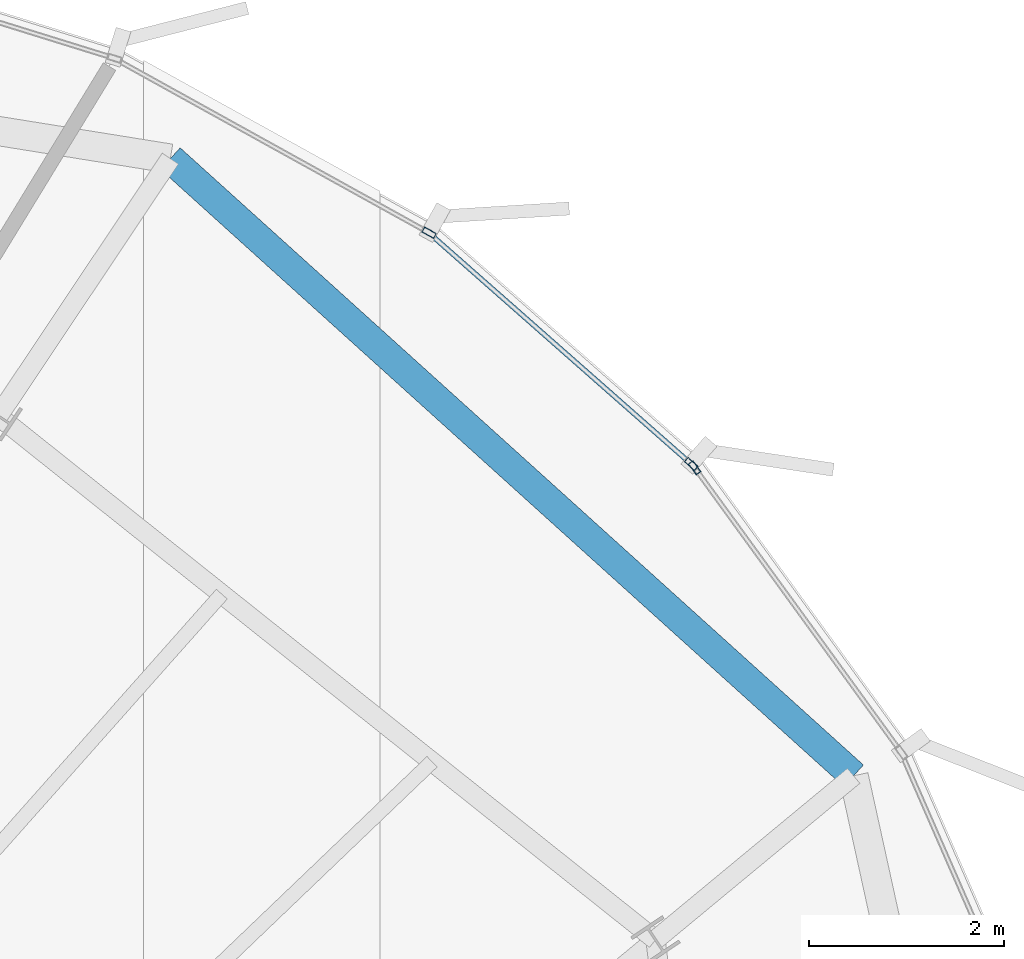
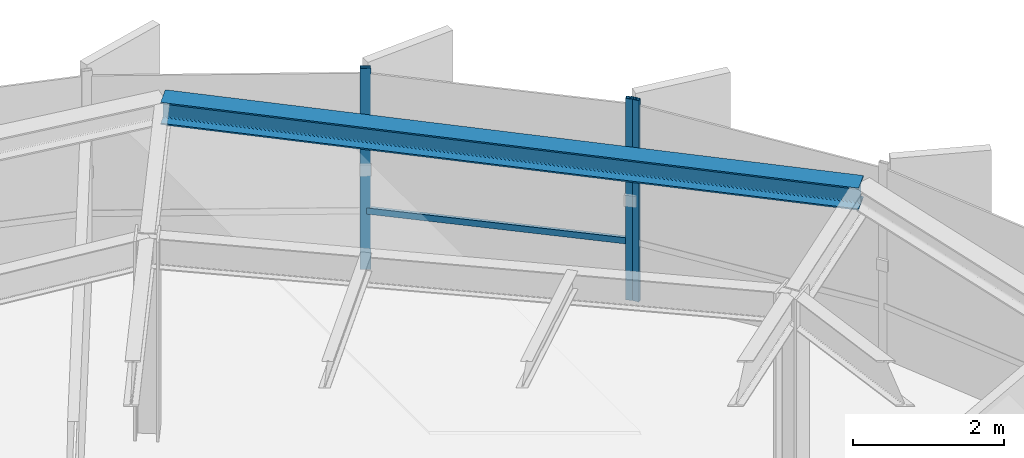
# One storey, part 28 of 35: 4 members, 1 beam, 2 elements without a shape of their own.
"""IFC4 building model written with IfcOpenShell, lengths in metres."""

from ifc_helpers import new_model, si_unit, direction, frame, origin, origin_2d, place, context, subcontext, project, spatial, hollow_rectangle, i_section, extrude, source, transform, mapped, material, layer, layer_set, material_profile, profile_set, type_object, element, aggregate, save


model = new_model("IFC4")

# Units and contexts
model_context = context("Model", 3, precision=1e-05, world=origin(), true_north=direction((0.0, 1.0)))
body_context = subcontext(model_context, "Body", "Model", "MODEL_VIEW")
ifc_project = project(units=[si_unit("LENGTHUNIT", "METRE"), si_unit("AREAUNIT", "SQUARE_METRE"), si_unit("VOLUMEUNIT", "CUBIC_METRE"), si_unit("PLANEANGLEUNIT", "RADIAN"), si_unit("MASSUNIT", "GRAM", prefix="KILO"), si_unit("THERMODYNAMICTEMPERATUREUNIT", "KELVIN")], contexts=[model_context])

# Site, building, storey
site_placement = place(None, origin())
site = spatial("IfcSite", under=ifc_project, at=site_placement, CompositionType="ELEMENT")
building_placement = place(site_placement, origin())
building = spatial("IfcBuilding", under=site, at=building_placement, Name="Kethvar Cultural Tower", CompositionType="ELEMENT")
storey_placement = place(building_placement, frame((0.0, 0.0, 204.39990234375)))
storey = spatial("IfcBuildingStorey", under=building, at=storey_placement, Name="L53", CompositionType="ELEMENT", Elevation=204.39990234375)

# Beam
ifc_material_1 = material(Name="Steel S355J2", Category="steel")
ifc_material_profile_1 = material_profile(ifc_material_1, i_section(OverallWidth=0.300048828125, OverallDepth=0.360107421875, WebThickness=0.012451171875, FlangeThickness=0.0224609375, FilletRadius=0.027099609375, at=origin_2d()), Name="Steel S355J2 — HEB360")
ifc_profile_set_1 = profile_set([ifc_material_profile_1], Name="Steel S355J2 — HEB360")
beam_type = type_object("IfcBeamType", Name="BM-SP360", PredefinedType="SPANDREL", material=ifc_profile_set_1)
shared_shape_1 = source(origin(), body_context, "Body", "SweptSolid", [
    extrude(i_section(OverallWidth=0.300048828125, OverallDepth=0.360107421875, WebThickness=0.012451171875, FlangeThickness=0.0224609375, FilletRadius=0.027099609375, at=origin_2d()), origin(), (0.0, 0.0, 1.0), 9.465576171875),
])
beam_placement = place(storey_placement, frame((67.540771484375, 41.9833984375, 3.078125), z_axis=(-0.742073257912, 0.67031878975, 0.0), x_axis=(-0.67031878975, -0.742073257912, 0.0)))
element("IfcBeam", 1, at=beam_placement, inside=storey, type_object=beam_type, Name="L53 Perimeter Spandrel Beam SP-02", PredefinedType="SPANDREL", context=body_context, shape_type="MappedRepresentation", body=[
    mapped(shared_shape_1, transform((0.0, 0.0, 0.0), scale=1.0)),
])

# Curtain wall, members
ifc_material_2 = material(Name="Aluminium 6063-T6", Category="aluminium")
ifc_layer = layer(ifc_material_2, 0.179931640625, Name="Aluminium 6063-T6", Category="aluminium")
ifc_layer_set = layer_set([ifc_layer], Name="Aluminium 6063-T6 (180 mm)")
curtain_wall_type = type_object("IfcCurtainWallType", Name="CW-SYS-04-Z34", PredefinedType="NOTDEFINED", material=ifc_layer_set)
curtain_wall_1_placement = place(storey_placement, origin())
curtain_wall_1 = element("IfcCurtainWall", 2, at=curtain_wall_1_placement, inside=storey, type_object=curtain_wall_type, Name="L53 Curtain Wall Run 01", PredefinedType="NOTDEFINED")
ifc_material_profile_2 = material_profile(ifc_material_2, hollow_rectangle(XDim=0.06005859375, YDim=0.139892578125, WallThickness=0.0048828125, at=origin_2d()), Name="Aluminium 6063-T6 — RHS140x60x5")
ifc_profile_set_2 = profile_set([ifc_material_profile_2], Name="Aluminium 6063-T6 — RHS140x60x5")
member_type_1 = type_object("IfcMemberType", Name="CW-SYS-04-Z34-MUL", PredefinedType="MULLION", material=ifc_profile_set_2)
shared_shape_2 = source(origin(), body_context, "Body", "SweptSolid", [
    extrude(hollow_rectangle(XDim=0.06005859375, YDim=0.139892578125, WallThickness=0.0048828125, at=origin_2d()), origin(), (0.0, 0.0, 1.0), 3.260009765625),
])
member_1_placement = place(storey_placement, frame((65.870849609375, 45.189208984375, 0.0), z_axis=(0.0, 0.0, 1.0), x_axis=(-0.660958310395, -0.750422622206, 0.0)))
member_1 = element("IfcMember", 3, at=member_1_placement, type_object=member_type_1, Name="CW-L53-R01 Mullion 1", PredefinedType="MULLION", context=body_context, shape_type="MappedRepresentation", body=[
    mapped(shared_shape_2, transform((0.0, 0.0, 0.0), scale=1.0)),
])
member_2_placement = place(storey_placement, frame((63.176513671875, 47.56591796875, 0.0), z_axis=(0.0, 0.0, 1.0), x_axis=(-0.484458486341, -0.87481425172, 0.0)))
member_2 = element("IfcMember", 4, at=member_2_placement, type_object=member_type_1, Name="CW-L53-R01 Mullion 2", PredefinedType="MULLION", context=body_context, shape_type="MappedRepresentation", body=[
    mapped(shared_shape_2, transform((0.0, 0.0, 0.0), scale=1.0)),
])

# Curtain wall, member
curtain_wall_2_placement = place(storey_placement, origin())
curtain_wall_2 = element("IfcCurtainWall", 5, at=curtain_wall_2_placement, inside=storey, type_object=curtain_wall_type, Name="L53 Curtain Wall Run 06", PredefinedType="NOTDEFINED")
member_3_placement = place(storey_placement, frame((65.90673828125, 45.14990234375, 0.0), z_axis=(0.0, 0.0, 1.0), x_axis=(-0.809283639555, -0.58741807152, 0.0)))
member_3 = element("IfcMember", 6, at=member_3_placement, type_object=member_type_1, Name="CW-L53-R06 Mullion 7", PredefinedType="MULLION", context=body_context, shape_type="MappedRepresentation", body=[
    mapped(shared_shape_2, transform((0.0, 0.0, 0.0), scale=1.0)),
])
aggregate(curtain_wall_2, [member_3])

# Member
ifc_material_profile_3 = material_profile(ifc_material_2, hollow_rectangle(XDim=0.050048828125, YDim=0.10009765625, WallThickness=0.00390625, at=origin_2d()), Name="Aluminium 6063-T6 — RHS100x50x4")
ifc_profile_set_3 = profile_set([ifc_material_profile_3], Name="Aluminium 6063-T6 — RHS100x50x4")
member_type_2 = type_object("IfcMemberType", Name="CW-SYS-04-Z34-TRN", PredefinedType="USERDEFINED", material=ifc_profile_set_3)
shared_shape_3 = source(origin(), body_context, "Body", "SweptSolid", [
    extrude(hollow_rectangle(XDim=0.050048828125, YDim=0.10009765625, WallThickness=0.00390625, at=origin_2d()), origin(), (0.0, 0.0, 1.0), 3.5693359375),
])
member_4_placement = place(storey_placement, frame((65.867919921875, 45.19189453125, 0.9501953125), z_axis=(-0.750424422692, 0.660956266199, 0.0), x_axis=(-0.660956266199, -0.750424422692, 0.0)))
member_4 = element("IfcMember", 7, at=member_4_placement, type_object=member_type_2, Name="CW-L53-R01 Transom 1", ObjectType="TRANSOM", PredefinedType="USERDEFINED", context=body_context, shape_type="MappedRepresentation", body=[
    mapped(shared_shape_3, transform((0.0, 0.0, 0.0), scale=1.0)),
])

aggregate(curtain_wall_1, [member_1, member_2, member_4])

save(model, "model.ifc")
